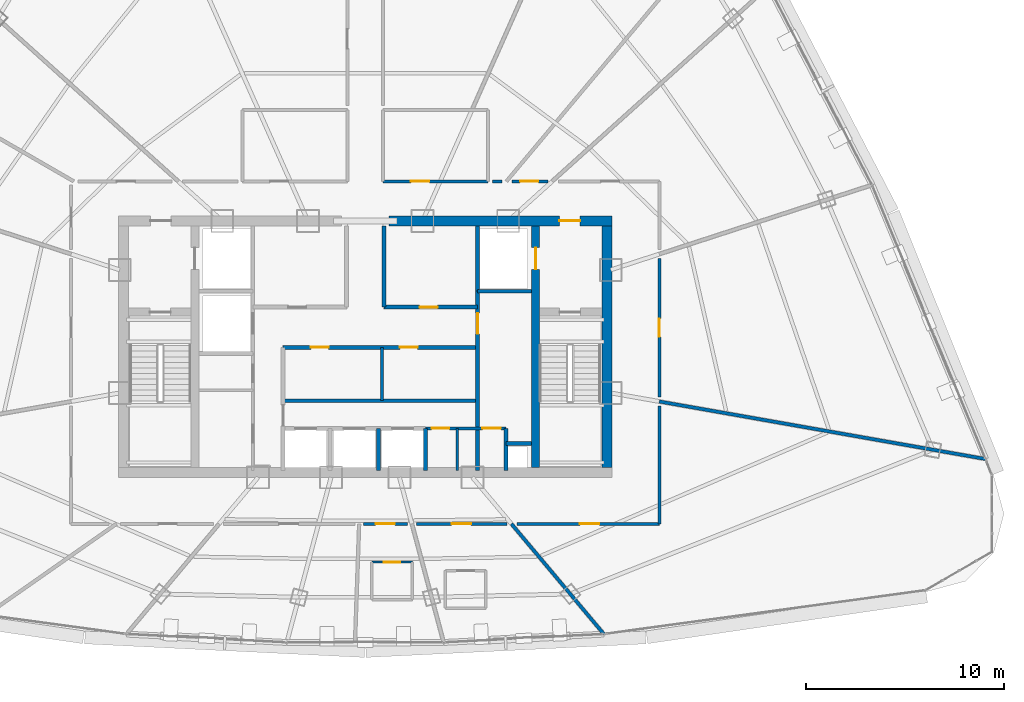
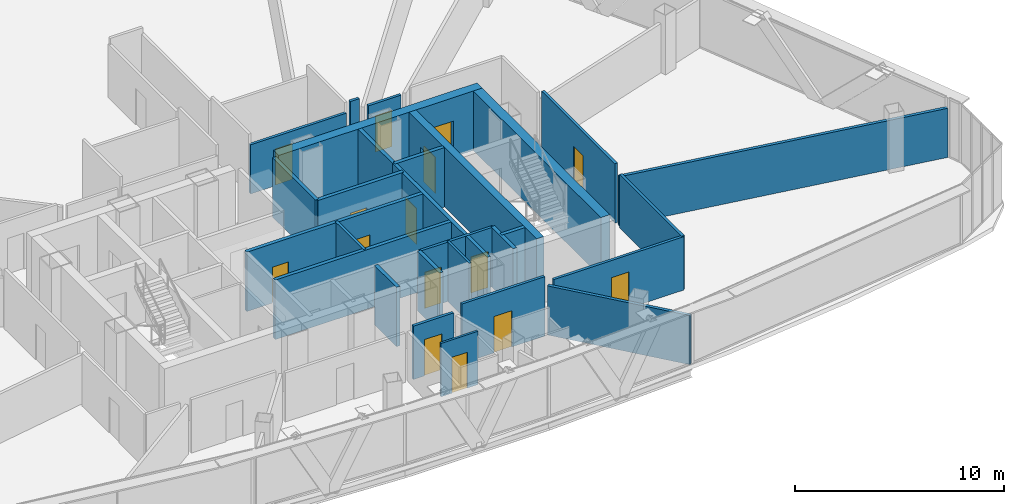
# One storey, part 35 of 39: 28 walls, 15 doors, 15 openings.
"""IFC4 building model written with IfcOpenShell, lengths in metres."""

from ifc_helpers import new_model, si_unit, direction, frame, frame_2d, origin, origin_with_axes, place, context, subcontext, project, spatial, rectangle, extrude, source, transform, mapped, material, layer, layer_set, type_object, element, fill, save


model = new_model("IFC4")

# Units and contexts
model_context = context("Model", 3, precision=1e-05, world=origin(), true_north=direction((0.0, 1.0)))
body_context = subcontext(model_context, "Body", "Model", "MODEL_VIEW")
ifc_project = project(units=[si_unit("LENGTHUNIT", "METRE"), si_unit("AREAUNIT", "SQUARE_METRE"), si_unit("VOLUMEUNIT", "CUBIC_METRE"), si_unit("PLANEANGLEUNIT", "RADIAN"), si_unit("MASSUNIT", "GRAM", prefix="KILO"), si_unit("THERMODYNAMICTEMPERATUREUNIT", "KELVIN"), si_unit("POWERUNIT", "WATT")], contexts=[model_context])

# Site, building, storey
site_placement = place(None, origin())
site = spatial("IfcSite", under=ifc_project, at=site_placement, CompositionType="ELEMENT")
building_placement = place(site_placement, origin())
building = spatial("IfcBuilding", under=site, at=building_placement, Name="Yunzhuo Pagoda Commons", CompositionType="ELEMENT")
storey_placement = place(building_placement, frame((0.0, 0.0, 296.2099609375)))
storey = spatial("IfcBuildingStorey", under=building, at=storey_placement, Name="L74", CompositionType="ELEMENT", Elevation=296.2099609375)

# Wall, opening, door
ifc_material_1 = material(Name="Concrete C50", Category="concrete")
ifc_layer_1 = layer(ifc_material_1, 0.5)
ifc_layer_set_1 = layer_set([ifc_layer_1], Name="Concrete C50")
wall_type_1 = type_object("IfcWallType", Name="W-C03 Upper Core Shear Wall 500", PredefinedType="SHEAR", material=ifc_layer_set_1)
wall_1_placement = place(storey_placement, frame((49.199951171875, 40.199951171875, 0.0), z_axis=(0.0, 0.0, 1.0), x_axis=(1.0, 0.0, 0.0)))
wall_1 = element("IfcWall", 1, at=wall_1_placement, inside=storey, type_object=wall_type_1, Name="L74 core shear wall NE", PredefinedType="SHEAR", context=body_context, shape_type="SweptSolid", body=[
    extrude(rectangle(XDim=11.25, YDim=0.5, at=frame_2d((5.625, 0.0))), origin(), (0.0, 0.0, 1.0), 3.469970703125),
])
opening_1_placement = place(wall_1_placement, frame((8.60009765625, 0.0, 0.0)))
opening_1 = element("IfcOpeningElement", 2, at=opening_1_placement, cuts=wall_1, Name="Opening D-02", PredefinedType="OPENING", context=body_context, shape_type="SweptSolid", body=[
    extrude(rectangle(XDim=1.050048828125, YDim=2.10009765625, at=frame_2d((0.52490234375, 1.050048828125))), frame((0.0, 0.260009765625, 0.0), z_axis=(0.0, -1.0, 0.0), x_axis=(1.0, 0.0, 0.0)), (0.0, 0.0, 1.0), 0.52001953125),
])
ifc_material_2 = material(Name="Galvanized fire-resisting metal leaf")
door_type_1 = type_object("IfcDoorType", Name="D-02 Firefighting Lobby & Refuge Fire Door 1050x2100", OperationType="NOTDEFINED", PredefinedType="DOOR", material=ifc_material_2)
shared_shape_1 = source(origin(), body_context, "Body", "SweptSolid", [
    extrude(rectangle(XDim=1.050048828125, YDim=2.10009765625, at=frame_2d((0.52490234375, 1.050048828125))), frame((0.0, 0.02490234375, 0.0), z_axis=(0.0, -1.0, 0.0), x_axis=(1.0, 0.0, 0.0)), (0.0, 0.0, 1.0), 0.050048828125),
])
door_1_placement = place(opening_1_placement, frame((1.050048828125, 0.0, 0.0), z_axis=(0.0, 0.0, 1.0), x_axis=(-1.0, 0.0, 0.0)))
door_1 = element("IfcDoor", 3, at=door_1_placement, inside=storey, type_object=door_type_1, Name="L74 Firefighting Lobby 2 fire door", OperationType="SINGLE_SWING_RIGHT", OverallHeight=2.10009765625, OverallWidth=1.050048828125, PredefinedType="DOOR", context=body_context, shape_type="MappedRepresentation", body=[
    mapped(shared_shape_1, transform((0.0, 0.0, 0.0), scale=1.0)),
])
fill(opening_1, door_1)

# Walls
wall_2_placement = place(storey_placement, frame((60.199951171875, 27.75, 0.0), z_axis=(0.0, 0.0, 1.0), x_axis=(0.0, 1.0, 0.0)))
element("IfcWall", 4, at=wall_2_placement, inside=storey, type_object=wall_type_1, Name="L74 core shear wall E", PredefinedType="SHEAR", context=body_context, shape_type="SweptSolid", body=[
    extrude(rectangle(XDim=12.199951171875, YDim=0.5, at=frame_2d((6.10009765625, 0.0))), origin(), (0.0, 0.0, 1.0), 3.469970703125),
])
ifc_material_3 = material(Name="Gypsum plasterboard on acoustic stud")
ifc_layer_2 = layer(ifc_material_3, 0.14990234375)
ifc_layer_set_2 = layer_set([ifc_layer_2], Name="Gypsum plasterboard on acoustic stud")
wall_type_2 = type_object("IfcWallType", Name="W-COR3 High-Zone Rated Corridor Wall 150", PredefinedType="PARTITIONING", material=ifc_layer_set_2)
wall_3_placement = place(storey_placement, frame((48.85009765625, 31.1201171875, 0.0), z_axis=(0.0, 0.0, 1.0), x_axis=(0.0, 1.0, 0.0)))
element("IfcWall", 5, at=wall_3_placement, inside=storey, type_object=wall_type_2, Name="L74 interior wall IW-L74-FRMD", PredefinedType="PARTITIONING", context=body_context, shape_type="SweptSolid", body=[
    extrude(rectangle(XDim=2.699951171875, YDim=0.14990234375, at=frame_2d((1.35009765625, 0.0))), origin(), (0.0, 0.0, 1.0), 3.469970703125),
])

# Wall, openings, doors
wall_4_placement = place(storey_placement, frame((51.050048828125, 29.719970703125, 0.0), z_axis=(0.0, 0.0, 1.0), x_axis=(1.0, 0.0, 0.0)))
wall_4 = element("IfcWall", 6, at=wall_4_placement, inside=storey, type_object=wall_type_2, Name="L74 interior wall IW-L74-CSES", PredefinedType="PARTITIONING", context=body_context, shape_type="SweptSolid", body=[
    extrude(rectangle(XDim=4.070068359375, YDim=0.14990234375, at=frame_2d((2.03515625, 0.0))), origin(), (0.0, 0.0, 1.0), 3.469970703125),
])
opening_2_placement = place(wall_4_placement, frame((0.300048828125, 0.0, 0.0)))
opening_2 = element("IfcOpeningElement", 7, at=opening_2_placement, cuts=wall_4, Name="Opening D-03", PredefinedType="OPENING", context=body_context, shape_type="SweptSolid", body=[
    extrude(rectangle(XDim=0.89990234375, YDim=2.10009765625, at=frame_2d((0.449951171875, 1.050048828125))), frame((0.0, 0.0849609375, 0.0), z_axis=(0.0, -1.0, 0.0), x_axis=(1.0, 0.0, 0.0)), (0.0, 0.0, 1.0), 0.169921875),
])
opening_3_placement = place(wall_4_placement, frame((2.860107421875, 0.0, 0.0)))
opening_3 = element("IfcOpeningElement", 8, at=opening_3_placement, cuts=wall_4, Name="Opening D-11", PredefinedType="OPENING", context=body_context, shape_type="SweptSolid", body=[
    extrude(rectangle(XDim=0.93994140625, YDim=2.10009765625, at=frame_2d((0.469970703125, 1.050048828125))), frame((0.0, 0.0849609375, 0.0), z_axis=(0.0, -1.0, 0.0), x_axis=(1.0, 0.0, 0.0)), (0.0, 0.0, 1.0), 0.169921875),
])
door_type_2 = type_object("IfcDoorType", Name="D-03 Core Service Fire Door 900x2100", OperationType="NOTDEFINED", PredefinedType="DOOR", material=ifc_material_2)
shared_shape_2 = source(origin(), body_context, "Body", "SweptSolid", [
    extrude(rectangle(XDim=0.89990234375, YDim=2.10009765625, at=frame_2d((0.449951171875, 1.050048828125))), frame((0.0, 0.02490234375, 0.0), z_axis=(0.0, -1.0, 0.0), x_axis=(1.0, 0.0, 0.0)), (0.0, 0.0, 1.0), 0.050048828125),
])
door_2_placement = place(opening_2_placement, origin_with_axes())
door_2 = element("IfcDoor", 9, at=door_2_placement, inside=storey, type_object=door_type_2, Name="L74 cleaner door", OperationType="SINGLE_SWING_LEFT", OverallHeight=2.10009765625, OverallWidth=0.89990234375, PredefinedType="DOOR", context=body_context, shape_type="MappedRepresentation", body=[
    mapped(shared_shape_2, transform((0.0, 0.0, 0.0), scale=1.0)),
])
fill(opening_2, door_2)
door_type_3 = type_object("IfcDoorType", Name="D-11 Accessible Washroom Fire Door 940x2100", OperationType="NOTDEFINED", PredefinedType="DOOR", material=ifc_material_2)
shared_shape_3 = source(origin(), body_context, "Body", "SweptSolid", [
    extrude(rectangle(XDim=0.93994140625, YDim=2.10009765625, at=frame_2d((0.469970703125, 1.050048828125))), frame((0.0, 0.02490234375, 0.0), z_axis=(0.0, -1.0, 0.0), x_axis=(1.0, 0.0, 0.0)), (0.0, 0.0, 1.0), 0.050048828125),
])
door_3_placement = place(opening_3_placement, origin_with_axes())
door_3 = element("IfcDoor", 10, at=door_3_placement, inside=storey, type_object=door_type_3, Name="L74 core WC door", OperationType="SINGLE_SWING_RIGHT", OverallHeight=2.10009765625, OverallWidth=0.93994140625, PredefinedType="DOOR", context=body_context, shape_type="MappedRepresentation", body=[
    mapped(shared_shape_3, transform((0.0, 0.0, 0.0), scale=1.0)),
])
fill(opening_3, door_3)

# Wall, opening, door
wall_5_placement = place(storey_placement, frame((48.89990234375, 42.199951171875, 0.0), z_axis=(0.0, 0.0, 1.0), x_axis=(1.0, 0.0, 0.0)))
wall_5 = element("IfcWall", 11, at=wall_5_placement, inside=storey, type_object=wall_type_2, Name="L74 interior wall IW-L74-TFES", PredefinedType="PARTITIONING", context=body_context, shape_type="SweptSolid", body=[
    extrude(rectangle(XDim=5.300048828125, YDim=0.14990234375, at=frame_2d((2.64990234375, 0.0))), origin(), (0.0, 0.0, 1.0), 2.8701171875),
])
opening_4_placement = place(wall_5_placement, frame((1.39990234375, 0.0, 0.0)))
opening_4 = element("IfcOpeningElement", 12, at=opening_4_placement, cuts=wall_5, Name="Opening D-11", PredefinedType="OPENING", context=body_context, shape_type="SweptSolid", body=[
    extrude(rectangle(XDim=0.93994140625, YDim=2.10009765625, at=frame_2d((0.469970703125, 1.050048828125))), frame((0.0, 0.0849609375, 0.0), z_axis=(0.0, -1.0, 0.0), x_axis=(1.0, 0.0, 0.0)), (0.0, 0.0, 1.0), 0.169921875),
])
door_4_placement = place(opening_4_placement, frame((0.93994140625, 0.0, 0.0), z_axis=(0.0, 0.0, 1.0), x_axis=(-1.0, 0.0, 0.0)))
door_4 = element("IfcDoor", 13, at=door_4_placement, inside=storey, type_object=door_type_3, Name="L74 accessible WC door", OperationType="SINGLE_SWING_RIGHT", OverallHeight=2.10009765625, OverallWidth=0.93994140625, PredefinedType="DOOR", context=body_context, shape_type="MappedRepresentation", body=[
    mapped(shared_shape_3, transform((0.0, 0.0, 0.0), scale=1.0)),
])
fill(opening_4, door_4)

# Wall
wall_6_placement = place(storey_placement, frame((54.419921875, 42.199951171875, 0.0), z_axis=(0.0, 0.0, 1.0), x_axis=(1.0, 0.0, 0.0)))
element("IfcWall", 14, at=wall_6_placement, inside=storey, type_object=wall_type_2, Name="L74 interior wall IW-L74-CWL09", PredefinedType="PARTITIONING", context=body_context, shape_type="SweptSolid", body=[
    extrude(rectangle(XDim=0.492431640625, YDim=0.14990234375, at=frame_2d((0.24609375, 0.0))), origin(), (0.0, 0.0, 1.0), 3.469970703125),
])

# Wall, opening, door
wall_7_placement = place(storey_placement, frame((55.41943359375, 42.199951171875, 0.0), z_axis=(0.0, 0.0, 1.0), x_axis=(1.0, 0.0, 0.0)))
wall_7 = element("IfcWall", 15, at=wall_7_placement, inside=storey, type_object=wall_type_2, Name="L74 interior wall IW-L74-CWL10", PredefinedType="PARTITIONING", context=body_context, shape_type="SweptSolid", body=[
    extrude(rectangle(XDim=1.801025390625, YDim=0.14990234375, at=frame_2d((0.900390625, 0.0))), origin(), (0.0, 0.0, 1.0), 2.8701171875),
])
opening_5_placement = place(wall_7_placement, frame((0.40673828125, 0.0, 0.0)))
opening_5 = element("IfcOpeningElement", 16, at=opening_5_placement, cuts=wall_7, Name="Opening D-04", PredefinedType="OPENING", context=body_context, shape_type="SweptSolid", body=[
    extrude(rectangle(XDim=0.919921875, YDim=2.10009765625, at=frame_2d((0.4599609375, 1.050048828125))), frame((0.0, 0.0849609375, 0.0), z_axis=(0.0, -1.0, 0.0), x_axis=(1.0, 0.0, 0.0)), (0.0, 0.0, 1.0), 0.169921875),
])
ifc_material_4 = material(Name="Powder-coated aluminium and timber acoustic leaf", Category="wood")
door_type_4 = type_object("IfcDoorType", Name="D-04 Bedroom & Study Interior Door 920x2100", OperationType="NOTDEFINED", PredefinedType="DOOR", material=ifc_material_4)
shared_shape_4 = source(origin(), body_context, "Body", "SweptSolid", [
    extrude(rectangle(XDim=0.919921875, YDim=2.10009765625, at=frame_2d((0.4599609375, 1.050048828125))), frame((0.0, 0.02490234375, 0.0), z_axis=(0.0, -1.0, 0.0), x_axis=(1.0, 0.0, 0.0)), (0.0, 0.0, 1.0), 0.050048828125),
])
door_5_placement = place(opening_5_placement, origin_with_axes())
door_5 = element("IfcDoor", 17, at=door_5_placement, inside=storey, type_object=door_type_4, Name="L74 seminar room 03 door", OperationType="SINGLE_SWING_RIGHT", OverallHeight=2.10009765625, OverallWidth=0.919921875, PredefinedType="DOOR", context=body_context, shape_type="MappedRepresentation", body=[
    mapped(shared_shape_4, transform((0.0, 0.0, 0.0), scale=1.0)),
])
fill(opening_5, door_5)

wall_8_placement = place(storey_placement, frame((62.85009765625, 38.305419921875, 0.0), z_axis=(0.0, 0.0, 1.0), x_axis=(0.0, -1.0, 0.0)))
wall_8 = element("IfcWall", 18, at=wall_8_placement, inside=storey, type_object=wall_type_2, Name="L74 interior wall IW-L74-CWL13", PredefinedType="PARTITIONING", context=body_context, shape_type="SweptSolid", body=[
    extrude(rectangle(XDim=7.004150390625, YDim=0.14990234375, at=frame_2d((3.501953125, 0.0))), origin(), (0.0, 0.0, 1.0), 3.469970703125),
])
opening_6_placement = place(wall_8_placement, frame((3.0419921875, 0.0, 0.0)))
opening_6 = element("IfcOpeningElement", 19, at=opening_6_placement, cuts=wall_8, Name="Opening D-04", PredefinedType="OPENING", context=body_context, shape_type="SweptSolid", body=[
    extrude(rectangle(XDim=0.919921875, YDim=2.10009765625, at=frame_2d((0.4599609375, 1.050048828125))), frame((0.0, 0.0849609375, 0.0), z_axis=(0.0, -1.0, 0.0), x_axis=(1.0, 0.0, 0.0)), (0.0, 0.0, 1.0), 0.169921875),
])
door_6_placement = place(opening_6_placement, origin_with_axes())
door_6 = element("IfcDoor", 20, at=door_6_placement, inside=storey, type_object=door_type_4, Name="L74 seminar room 01 door", OperationType="SINGLE_SWING_RIGHT", OverallHeight=2.10009765625, OverallWidth=0.919921875, PredefinedType="DOOR", context=body_context, shape_type="MappedRepresentation", body=[
    mapped(shared_shape_4, transform((0.0, 0.0, 0.0), scale=1.0)),
])
fill(opening_6, door_6)

# Wall
wall_9_placement = place(storey_placement, frame((62.85009765625, 30.858154296875, 0.0), z_axis=(0.0, 0.0, 1.0), x_axis=(0.0, -1.0, 0.0)))
element("IfcWall", 21, at=wall_9_placement, inside=storey, type_object=wall_type_2, Name="L74 interior wall IW-L74-CWL14", PredefinedType="PARTITIONING", context=body_context, shape_type="SweptSolid", body=[
    extrude(rectangle(XDim=5.958251953125, YDim=0.14990234375, at=frame_2d((2.97900390625, 0.0))), origin(), (0.0, 0.0, 1.0), 3.1201171875),
])

# Wall, opening, door
wall_10_placement = place(storey_placement, frame((62.85009765625, 24.89990234375, 0.0), z_axis=(0.0, 0.0, 1.0), x_axis=(-1.0, 0.0, 0.0)))
wall_10 = element("IfcWall", 22, at=wall_10_placement, inside=storey, type_object=wall_type_2, Name="L74 interior wall IW-L74-CWL15", PredefinedType="PARTITIONING", context=body_context, shape_type="SweptSolid", body=[
    extrude(rectangle(XDim=7.1787109375, YDim=0.14990234375, at=frame_2d((3.58935546875, 0.0))), origin(), (0.0, 0.0, 1.0), 3.1201171875),
])
opening_7_placement = place(wall_10_placement, frame((3.028076171875, 0.0, 0.0)))
opening_7 = element("IfcOpeningElement", 23, at=opening_7_placement, cuts=wall_10, Name="Opening D-08", PredefinedType="OPENING", context=body_context, shape_type="SweptSolid", body=[
    extrude(rectangle(XDim=0.97998046875, YDim=2.1201171875, at=frame_2d((0.489990234375, 1.06005859375))), frame((0.0, 0.0849609375, 0.0), z_axis=(0.0, -1.0, 0.0), x_axis=(1.0, 0.0, 0.0)), (0.0, 0.0, 1.0), 0.169921875),
])
door_type_5 = type_object("IfcDoorType", Name="D-08 High-Zone Suite Entrance Fire Door 980x2120", OperationType="NOTDEFINED", PredefinedType="DOOR", material=ifc_material_2)
shared_shape_5 = source(origin(), body_context, "Body", "SweptSolid", [
    extrude(rectangle(XDim=0.97998046875, YDim=2.1201171875, at=frame_2d((0.489990234375, 1.06005859375))), frame((0.0, 0.02490234375, 0.0), z_axis=(0.0, -1.0, 0.0), x_axis=(1.0, 0.0, 0.0)), (0.0, 0.0, 1.0), 0.050048828125),
])
door_7_placement = place(opening_7_placement, origin_with_axes())
door_7 = element("IfcDoor", 24, at=door_7_placement, inside=storey, type_object=door_type_5, Name="L74 unit 14 entrance door", OperationType="SINGLE_SWING_LEFT", OverallHeight=2.1201171875, OverallWidth=0.97998046875, PredefinedType="DOOR", context=body_context, shape_type="MappedRepresentation", body=[
    mapped(shared_shape_5, transform((0.0, 0.0, 0.0), scale=1.0)),
])
fill(opening_7, door_7)

wall_11_placement = place(storey_placement, frame((55.164306640625, 24.89990234375, 0.0), z_axis=(0.0, 0.0, 1.0), x_axis=(-1.0, 0.0, 0.0)))
wall_11 = element("IfcWall", 25, at=wall_11_placement, inside=storey, type_object=wall_type_2, Name="L74 interior wall IW-L74-CWL16", PredefinedType="PARTITIONING", context=body_context, shape_type="SweptSolid", body=[
    extrude(rectangle(XDim=4.57861328125, YDim=0.14990234375, at=frame_2d((2.289306640625, 0.0))), origin(), (0.0, 0.0, 1.0), 3.469970703125),
])
opening_8_placement = place(wall_11_placement, frame((1.818115234375, 0.0, 0.0)))
opening_8 = element("IfcOpeningElement", 26, at=opening_8_placement, cuts=wall_11, Name="Opening D-08", PredefinedType="OPENING", context=body_context, shape_type="SweptSolid", body=[
    extrude(rectangle(XDim=0.97998046875, YDim=2.1201171875, at=frame_2d((0.489990234375, 1.06005859375))), frame((0.0, 0.0849609375, 0.0), z_axis=(0.0, -1.0, 0.0), x_axis=(1.0, 0.0, 0.0)), (0.0, 0.0, 1.0), 0.169921875),
])
door_8_placement = place(opening_8_placement, origin_with_axes())
door_8 = element("IfcDoor", 27, at=door_8_placement, inside=storey, type_object=door_type_5, Name="L74 unit 13 entrance door", OperationType="SINGLE_SWING_RIGHT", OverallHeight=2.1201171875, OverallWidth=0.97998046875, PredefinedType="DOOR", context=body_context, shape_type="MappedRepresentation", body=[
    mapped(shared_shape_5, transform((0.0, 0.0, 0.0), scale=1.0)),
])
fill(opening_8, door_8)

wall_12_placement = place(storey_placement, frame((50.13818359375, 24.89990234375, 0.0), z_axis=(0.0, 0.0, 1.0), x_axis=(-1.0, 0.0, 0.0)))
wall_12 = element("IfcWall", 28, at=wall_12_placement, inside=storey, type_object=wall_type_2, Name="L74 interior wall IW-L74-CWL17", PredefinedType="PARTITIONING", context=body_context, shape_type="SweptSolid", body=[
    extrude(rectangle(XDim=2.2255859375, YDim=0.14990234375, at=frame_2d((1.11279296875, 0.0))), origin(), (0.0, 0.0, 1.0), 3.1201171875),
])
opening_9_placement = place(wall_12_placement, frame((0.6376953125, 0.0, 0.0)))
opening_9 = element("IfcOpeningElement", 29, at=opening_9_placement, cuts=wall_12, Name="Opening D-08", PredefinedType="OPENING", context=body_context, shape_type="SweptSolid", body=[
    extrude(rectangle(XDim=0.97998046875, YDim=2.1201171875, at=frame_2d((0.489990234375, 1.06005859375))), frame((0.0, 0.0849609375, 0.0), z_axis=(0.0, -1.0, 0.0), x_axis=(1.0, 0.0, 0.0)), (0.0, 0.0, 1.0), 0.169921875),
])
door_9_placement = place(opening_9_placement, origin_with_axes())
door_9 = element("IfcDoor", 30, at=door_9_placement, inside=storey, type_object=door_type_5, Name="L74 unit 12 entrance door", OperationType="SINGLE_SWING_LEFT", OverallHeight=2.1201171875, OverallWidth=0.97998046875, PredefinedType="DOOR", context=body_context, shape_type="MappedRepresentation", body=[
    mapped(shared_shape_5, transform((0.0, 0.0, 0.0), scale=1.0)),
])
fill(opening_9, door_9)

# Wall
ifc_layer_3 = layer(ifc_material_3, 0.1201171875)
ifc_layer_set_3 = layer_set([ifc_layer_3], Name="Gypsum plasterboard on acoustic stud")
wall_type_3 = type_object("IfcWallType", Name="W-PRT1 Suite & Bathroom Partition 120", PredefinedType="PARTITIONING", material=ifc_layer_set_3)
wall_13_placement = place(storey_placement, frame((52.64990234375, 27.60009765625, 0.0), z_axis=(0.0, 0.0, 1.0), x_axis=(0.0, 1.0, 0.0)))
element("IfcWall", 31, at=wall_13_placement, inside=storey, type_object=wall_type_3, Name="L74 interior wall IW-L74-CD2", PredefinedType="PARTITIONING", context=body_context, shape_type="SweptSolid", body=[
    extrude(rectangle(XDim=2.119873046875, YDim=0.1201171875, at=frame_2d((1.06005859375, 0.0))), origin(), (0.0, 0.0, 1.0), 3.469970703125),
])

# Wall, opening, door
wall_14_placement = place(storey_placement, frame((50.381103515625, 22.97509765625, 0.0), z_axis=(0.0, 0.0, 1.0), x_axis=(-1.0, 0.0, 0.0)))
wall_14 = element("IfcWall", 32, at=wall_14_placement, inside=storey, type_object=wall_type_3, Name="L74 interior wall IW-L74-B12N", PredefinedType="PARTITIONING", context=body_context, shape_type="SweptSolid", body=[
    extrude(rectangle(XDim=2.050048828125, YDim=0.1201171875, at=frame_2d((1.02490234375, 0.0))), origin(), (0.0, 0.0, 1.0), 3.1201171875),
])
opening_10_placement = place(wall_14_placement, frame((0.60009765625, 0.0, 0.0)))
opening_10 = element("IfcOpeningElement", 33, at=opening_10_placement, cuts=wall_14, Name="Opening D-05", PredefinedType="OPENING", context=body_context, shape_type="SweptSolid", body=[
    extrude(rectangle(XDim=0.85009765625, YDim=2.10009765625, at=frame_2d((0.425048828125, 1.050048828125))), frame((0.0, 0.070068359375, 0.0), z_axis=(0.0, -1.0, 0.0), x_axis=(1.0, 0.0, 0.0)), (0.0, 0.0, 1.0), 0.14013671875),
])
door_type_6 = type_object("IfcDoorType", Name="D-05 En-Suite Bathroom Door 850x2100", OperationType="NOTDEFINED", PredefinedType="DOOR", material=ifc_material_4)
shared_shape_6 = source(origin(), body_context, "Body", "SweptSolid", [
    extrude(rectangle(XDim=0.85009765625, YDim=2.10009765625, at=frame_2d((0.425048828125, 1.050048828125))), frame((0.0, 0.02490234375, 0.0), z_axis=(0.0, -1.0, 0.0), x_axis=(1.0, 0.0, 0.0)), (0.0, 0.0, 1.0), 0.050048828125),
])
door_10_placement = place(opening_10_placement, frame((0.85009765625, 0.0, 0.0), z_axis=(0.0, 0.0, 1.0), x_axis=(-1.0, 0.0, 0.0)))
door_10 = element("IfcDoor", 34, at=door_10_placement, inside=storey, type_object=door_type_6, Name="L74 unit 12 bathroom door", OperationType="SINGLE_SWING_LEFT", OverallHeight=2.10009765625, OverallWidth=0.85009765625, PredefinedType="DOOR", context=body_context, shape_type="MappedRepresentation", body=[
    mapped(shared_shape_6, transform((0.0, 0.0, 0.0), scale=1.0)),
])
fill(opening_10, door_10)

# Walls
ifc_layer_4 = layer(ifc_material_3, 0.169921875)
ifc_layer_set_4 = layer_set([ifc_layer_4], Name="Gypsum plasterboard on acoustic stud")
wall_type_4 = type_object("IfcWallType", Name="W-PRT4 High-Zone Demising Wall 170", PredefinedType="PARTITIONING", material=ifc_layer_set_4)
wall_15_placement = place(storey_placement, frame((55.384033203125, 24.89990234375, 0.0), z_axis=(0.0, 0.0, 1.0), x_axis=(0.642798027821, -0.766035701146, 0.0)))
element("IfcWall", 35, at=wall_15_placement, inside=storey, type_object=wall_type_4, Name="L74 interior wall IW-L74-RAD13", PredefinedType="PARTITIONING", context=body_context, shape_type="SweptSolid", body=[
    extrude(rectangle(XDim=7.2666015625, YDim=0.169921875, at=frame_2d((3.63330078125, 0.0))), origin(), (0.0, 0.0, 1.0), 2.8701171875),
])
wall_16_placement = place(storey_placement, frame((62.85009765625, 31.08154296875, 0.0), z_axis=(0.0, 0.0, 1.0), x_axis=(0.984806900178, -0.173653014261, 0.0)))
element("IfcWall", 36, at=wall_16_placement, inside=storey, type_object=wall_type_4, Name="L74 interior wall IW-L74-RAD14", PredefinedType="PARTITIONING", context=body_context, shape_type="SweptSolid", body=[
    extrude(rectangle(XDim=16.73583984375, YDim=0.169921875, at=frame_2d((8.367919921875, 0.0))), origin(), (0.0, 0.0, 1.0), 2.8701171875),
])

# Wall, opening, door
ifc_material_5 = material(Name="Concrete C60", Category="concrete")
ifc_layer_5 = layer(ifc_material_5, 0.39990234375)
ifc_layer_set_5 = layer_set([ifc_layer_5], Name="Concrete C60")
wall_type_5 = type_object("IfcWallType", Name="W-S01 Internal Core Shear Web 400", PredefinedType="SHEAR", material=ifc_layer_set_5)
wall_17_placement = place(storey_placement, frame((56.60009765625, 27.75, 0.0), z_axis=(0.0, 0.0, 1.0), x_axis=(0.0, 1.0, 0.0)))
wall_17 = element("IfcWall", 37, at=wall_17_placement, inside=storey, type_object=wall_type_5, Name="L74 core shear wall WEBE", PredefinedType="SHEAR", context=body_context, shape_type="SweptSolid", body=[
    extrude(rectangle(XDim=12.199951171875, YDim=0.39990234375, at=frame_2d((6.10009765625, 0.0))), origin(), (0.0, 0.0, 1.0), 3.469970703125),
])
opening_11_placement = place(wall_17_placement, frame((10.0, 0.0, 0.0)))
opening_11 = element("IfcOpeningElement", 38, at=opening_11_placement, cuts=wall_17, Name="Opening LD-01", PredefinedType="OPENING", context=body_context, shape_type="SweptSolid", body=[
    extrude(rectangle(XDim=1.10009765625, YDim=2.10009765625, at=frame_2d((0.550048828125, 1.050048828125))), frame((0.0, 0.2099609375, 0.0), z_axis=(0.0, -1.0, 0.0), x_axis=(1.0, 0.0, 0.0)), (0.0, 0.0, 1.0), 0.419921875),
])
door_type_7 = type_object("IfcDoorType", Name="LD-01 Firefighting Lift Landing Door 1100x2100", OperationType="DOUBLE_DOOR_SLIDING", PredefinedType="DOOR", material=ifc_material_2)
shared_shape_7 = source(origin(), body_context, "Body", "SweptSolid", [
    extrude(rectangle(XDim=1.10009765625, YDim=2.10009765625, at=frame_2d((0.550048828125, 1.050048828125))), frame((0.0, 0.02490234375, 0.0), z_axis=(0.0, -1.0, 0.0), x_axis=(1.0, 0.0, 0.0)), (0.0, 0.0, 1.0), 0.050048828125),
])
door_11_placement = place(opening_11_placement, origin_with_axes())
door_11 = element("IfcDoor", 39, at=door_11_placement, inside=storey, type_object=door_type_7, Name="L74 Firefighting lift FL-2 landing door", OperationType="DOUBLE_DOOR_SLIDING", OverallHeight=2.10009765625, OverallWidth=1.10009765625, PredefinedType="DOOR", context=body_context, shape_type="MappedRepresentation", body=[
    mapped(shared_shape_7, transform((0.0, 0.0, 0.0), scale=1.0)),
])
fill(opening_11, door_11)

# Walls
ifc_material_6 = material(Name="Concrete C40", Category="concrete")
ifc_layer_6 = layer(ifc_material_6, 0.199951171875)
ifc_layer_set_6 = layer_set([ifc_layer_6], Name="Concrete C40")
wall_type_6 = type_object("IfcWallType", Name="W-SHF Shaft & Stair Enclosure Wall 200", PredefinedType="SOLIDWALL", material=ifc_layer_set_6)
wall_18_placement = place(storey_placement, frame((53.679931640625, 36.64990234375, 0.0), z_axis=(0.0, 0.0, 1.0), x_axis=(0.0, 1.0, 0.0)))
element("IfcWall", 40, at=wall_18_placement, inside=storey, type_object=wall_type_6, Name="L74 interior wall IW-L74-FL2W", PredefinedType="SOLIDWALL", context=body_context, shape_type="SweptSolid", body=[
    extrude(rectangle(XDim=3.300048828125, YDim=0.199951171875, at=frame_2d((1.64990234375, 0.0))), origin(), (0.0, 0.0, 1.0), 3.469970703125),
])
wall_19_placement = place(storey_placement, frame((53.679931640625, 36.64990234375, 0.0), z_axis=(0.0, 0.0, 1.0), x_axis=(1.0, 0.0, 0.0)))
element("IfcWall", 41, at=wall_19_placement, inside=storey, type_object=wall_type_6, Name="L74 interior wall IW-L74-FL2S", PredefinedType="SOLIDWALL", context=body_context, shape_type="SweptSolid", body=[
    extrude(rectangle(XDim=2.719970703125, YDim=0.199951171875, at=frame_2d((1.35986328125, 0.0))), origin(), (0.0, 0.0, 1.0), 3.469970703125),
])

# Wall, opening, door
wall_20_placement = place(storey_placement, frame((48.949951171875, 35.85009765625, 0.0), z_axis=(0.0, 0.0, 1.0), x_axis=(1.0, 0.0, 0.0)))
wall_20 = element("IfcWall", 42, at=wall_20_placement, inside=storey, type_object=wall_type_6, Name="L74 interior wall IW-L74-LBNE", PredefinedType="SOLIDWALL", context=body_context, shape_type="SweptSolid", body=[
    extrude(rectangle(XDim=4.72998046875, YDim=0.199951171875, at=frame_2d((2.364990234375, 0.0))), origin(), (0.0, 0.0, 1.0), 3.469970703125),
])
opening_12_placement = place(wall_20_placement, frame((1.800048828125, 0.0, 0.0)))
opening_12 = element("IfcOpeningElement", 43, at=opening_12_placement, cuts=wall_20, Name="Opening D-03", PredefinedType="OPENING", context=body_context, shape_type="SweptSolid", body=[
    extrude(rectangle(XDim=0.89990234375, YDim=2.10009765625, at=frame_2d((0.449951171875, 1.050048828125))), frame((0.0, 0.10986328125, 0.0), z_axis=(0.0, -1.0, 0.0), x_axis=(1.0, 0.0, 0.0)), (0.0, 0.0, 1.0), 0.219970703125),
])
door_12_placement = place(opening_12_placement, frame((0.89990234375, 0.0, 0.0), z_axis=(0.0, 0.0, 1.0), x_axis=(-1.0, 0.0, 0.0)))
door_12 = element("IfcDoor", 44, at=door_12_placement, inside=storey, type_object=door_type_2, Name="L74 core east store door", OperationType="SINGLE_SWING_RIGHT", OverallHeight=2.10009765625, OverallWidth=0.89990234375, PredefinedType="DOOR", context=body_context, shape_type="MappedRepresentation", body=[
    mapped(shared_shape_2, transform((0.0, 0.0, 0.0), scale=1.0)),
])
fill(opening_12, door_12)

# Wall
wall_21_placement = place(storey_placement, frame((48.949951171875, 35.85009765625, 0.0), z_axis=(0.0, 0.0, 1.0), x_axis=(0.0, 1.0, 0.0)))
element("IfcWall", 45, at=wall_21_placement, inside=storey, type_object=wall_type_6, Name="L74 interior wall IW-L74-THRE", PredefinedType="SOLIDWALL", context=body_context, shape_type="SweptSolid", body=[
    extrude(rectangle(XDim=4.099853515625, YDim=0.199951171875, at=frame_2d((2.0498046875, 0.0))), origin(), (0.0, 0.0, 1.0), 3.469970703125),
])

# Wall, openings, doors
wall_22_placement = place(storey_placement, frame((43.85009765625, 33.820068359375, 0.0), z_axis=(0.0, 0.0, 1.0), x_axis=(1.0, 0.0, 0.0)))
wall_22 = element("IfcWall", 46, at=wall_22_placement, inside=storey, type_object=wall_type_6, Name="L74 interior wall IW-L74-MLBS", PredefinedType="SOLIDWALL", context=body_context, shape_type="SweptSolid", body=[
    extrude(rectangle(XDim=9.829833984375, YDim=0.199951171875, at=frame_2d((4.9150390625, 0.0))), origin(), (0.0, 0.0, 1.0), 3.469970703125),
])
opening_13_placement = place(wall_22_placement, frame((1.39990234375, 0.0, 0.0)))
opening_13 = element("IfcOpeningElement", 47, at=opening_13_placement, cuts=wall_22, Name="Opening D-03", PredefinedType="OPENING", context=body_context, shape_type="SweptSolid", body=[
    extrude(rectangle(XDim=0.89990234375, YDim=2.10009765625, at=frame_2d((0.449951171875, 1.050048828125))), frame((0.0, 0.10986328125, 0.0), z_axis=(0.0, -1.0, 0.0), x_axis=(1.0, 0.0, 0.0)), (0.0, 0.0, 1.0), 0.219970703125),
])
opening_14_placement = place(wall_22_placement, frame((5.89990234375, 0.0, 0.0)))
opening_14 = element("IfcOpeningElement", 48, at=opening_14_placement, cuts=wall_22, Name="Opening D-03", PredefinedType="OPENING", context=body_context, shape_type="SweptSolid", body=[
    extrude(rectangle(XDim=0.89990234375, YDim=2.10009765625, at=frame_2d((0.449951171875, 1.050048828125))), frame((0.0, 0.10986328125, 0.0), z_axis=(0.0, -1.0, 0.0), x_axis=(1.0, 0.0, 0.0)), (0.0, 0.0, 1.0), 0.219970703125),
])
door_13_placement = place(opening_13_placement, origin_with_axes())
door_13 = element("IfcDoor", 49, at=door_13_placement, inside=storey, type_object=door_type_2, Name="L74 core mid-west store door", OperationType="SINGLE_SWING_LEFT", OverallHeight=2.10009765625, OverallWidth=0.89990234375, PredefinedType="DOOR", context=body_context, shape_type="MappedRepresentation", body=[
    mapped(shared_shape_2, transform((0.0, 0.0, 0.0), scale=1.0)),
])
fill(opening_13, door_13)
door_14_placement = place(opening_14_placement, origin_with_axes())
door_14 = element("IfcDoor", 50, at=door_14_placement, inside=storey, type_object=door_type_2, Name="L74 core mid-east store door", OperationType="SINGLE_SWING_RIGHT", OverallHeight=2.10009765625, OverallWidth=0.89990234375, PredefinedType="DOOR", context=body_context, shape_type="MappedRepresentation", body=[
    mapped(shared_shape_2, transform((0.0, 0.0, 0.0), scale=1.0)),
])
fill(opening_14, door_14)

# Wall, opening, door
wall_23_placement = place(storey_placement, frame((53.679931640625, 27.60009765625, 0.0), z_axis=(0.0, 0.0, 1.0), x_axis=(0.0, 1.0, 0.0)))
wall_23 = element("IfcWall", 51, at=wall_23_placement, inside=storey, type_object=wall_type_6, Name="L74 interior wall IW-L74-PLME", PredefinedType="SOLIDWALL", context=body_context, shape_type="SweptSolid", body=[
    extrude(rectangle(XDim=9.0498046875, YDim=0.199951171875, at=frame_2d((4.52490234375, 0.0))), origin(), (0.0, 0.0, 1.0), 3.469970703125),
])
opening_15_placement = place(wall_23_placement, frame((6.89990234375, 0.0, 0.0)))
opening_15 = element("IfcOpeningElement", 52, at=opening_15_placement, cuts=wall_23, Name="Opening D-02", PredefinedType="OPENING", context=body_context, shape_type="SweptSolid", body=[
    extrude(rectangle(XDim=1.050048828125, YDim=2.10009765625, at=frame_2d((0.52490234375, 1.050048828125))), frame((0.0, 0.10986328125, 0.0), z_axis=(0.0, -1.0, 0.0), x_axis=(1.0, 0.0, 0.0)), (0.0, 0.0, 1.0), 0.219970703125),
])
door_15_placement = place(opening_15_placement, origin_with_axes())
door_15 = element("IfcDoor", 53, at=door_15_placement, inside=storey, type_object=door_type_1, Name="L74 High-bank lift hall door", OperationType="SINGLE_SWING_RIGHT", OverallHeight=2.10009765625, OverallWidth=1.050048828125, PredefinedType="DOOR", context=body_context, shape_type="MappedRepresentation", body=[
    mapped(shared_shape_1, transform((0.0, 0.0, 0.0), scale=1.0)),
])
fill(opening_15, door_15)

# Walls
wall_24_placement = place(storey_placement, frame((51.050048828125, 27.60009765625, 0.0), z_axis=(0.0, 0.0, 1.0), x_axis=(0.0, 1.0, 0.0)))
element("IfcWall", 54, at=wall_24_placement, inside=storey, type_object=wall_type_6, Name="L74 interior wall IW-L74-PLHE", PredefinedType="SOLIDWALL", context=body_context, shape_type="SweptSolid", body=[
    extrude(rectangle(XDim=2.119873046875, YDim=0.199951171875, at=frame_2d((1.06005859375, 0.0))), origin(), (0.0, 0.0, 1.0), 3.469970703125),
])
wall_25_placement = place(storey_placement, frame((43.85009765625, 31.1201171875, 0.0), z_axis=(0.0, 0.0, 1.0), x_axis=(1.0, 0.0, 0.0)))
element("IfcWall", 55, at=wall_25_placement, inside=storey, type_object=wall_type_6, Name="L74 interior wall IW-L74-PLMS2", PredefinedType="SOLIDWALL", context=body_context, shape_type="SweptSolid", body=[
    extrude(rectangle(XDim=9.829833984375, YDim=0.199951171875, at=frame_2d((4.9150390625, 0.0))), origin(), (0.0, 0.0, 1.0), 3.469970703125),
])
for number, where, z_axis, x_axis, name in (
    (56, (48.675048828125, 27.60009765625, 0.0), (0.0, 0.0, 1.0), (0.0, 1.0, 0.0), "L74 interior wall IW-L74-PLHD2"),
    (57, (55.1201171875, 27.60009765625, 0.0), (0.0, 0.0, 1.0), (0.0, 1.0, 0.0), "L74 interior wall IW-L74-RSHFW"),
):
    element("IfcWall", number, at=place(storey_placement, frame(where, z_axis=z_axis, x_axis=x_axis)), inside=storey, type_object=wall_type_6, Name=name, PredefinedType="SOLIDWALL", context=body_context, shape_type="SweptSolid", body=[
        extrude(rectangle(XDim=2.119873046875, YDim=0.199951171875, at=frame_2d((1.06005859375, 0.0))), origin(), (0.0, 0.0, 1.0), 3.469970703125),
    ])
wall_26_placement = place(storey_placement, frame((55.1201171875, 28.949951171875, 0.0), z_axis=(0.0, 0.0, 1.0), x_axis=(1.0, 0.0, 0.0)))
element("IfcWall", 58, at=wall_26_placement, inside=storey, type_object=wall_type_6, Name="L74 interior wall IW-L74-RSHFN", PredefinedType="SOLIDWALL", context=body_context, shape_type="SweptSolid", body=[
    extrude(rectangle(XDim=1.27978515625, YDim=0.199951171875, at=frame_2d((0.639892578125, 0.0))), origin(), (0.0, 0.0, 1.0), 3.469970703125),
])

save(model, "model.ifc")
